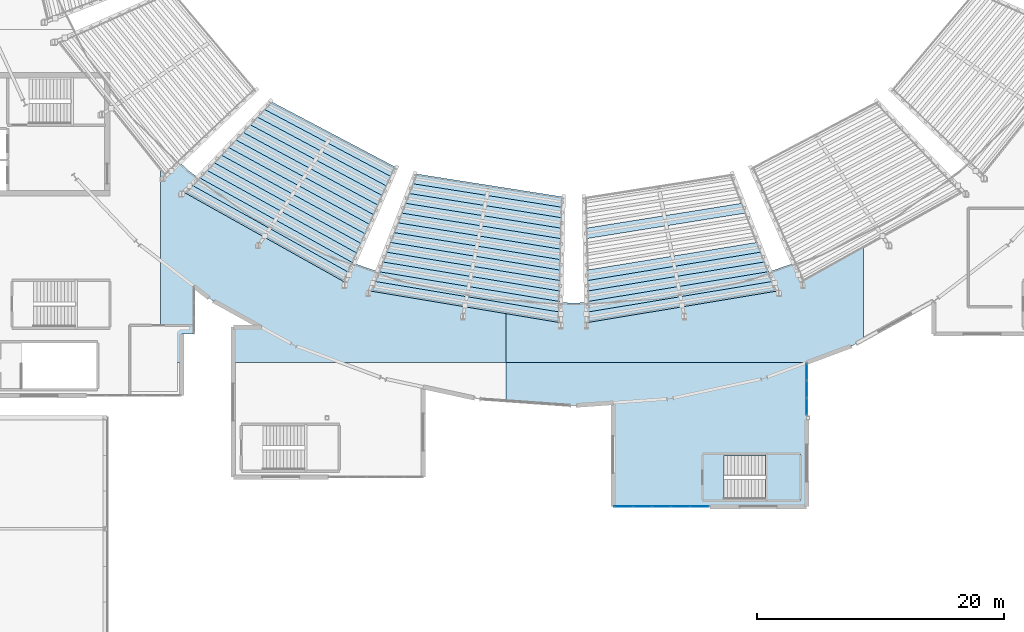
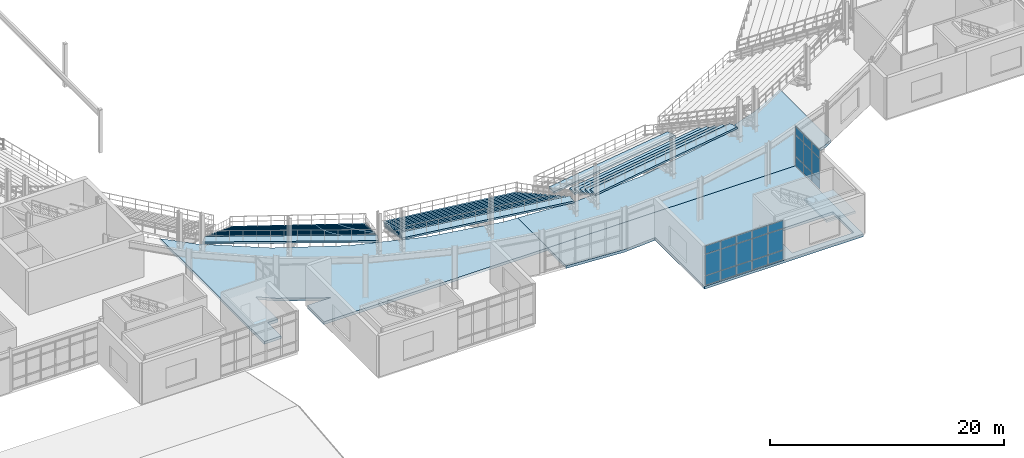
# One storey, part 45 of 81: 34 slabs, 24 plates, 3 elements without a shape of their own.
"""IFC4 building model written with IfcOpenShell, lengths in metres."""

from ifc_helpers import new_model, si_unit, direction, frame, origin, origin_2d, place, context, subcontext, project, spatial, polyline, rectangle, outline, extrude, material, layer, layer_set, type_object, element, aggregate, save


model = new_model("IFC4")

# Units and contexts
model_context = context("Model", 3, precision=1e-05, world=origin(), true_north=direction((0.0, 1.0)))
body_context = subcontext(model_context, "Body", "Model", "MODEL_VIEW")
ifc_project = project(units=[si_unit("LENGTHUNIT", "METRE"), si_unit("AREAUNIT", "SQUARE_METRE"), si_unit("VOLUMEUNIT", "CUBIC_METRE"), si_unit("PLANEANGLEUNIT", "RADIAN"), si_unit("MASSUNIT", "GRAM", prefix="KILO")], contexts=[model_context])

# Site, building, storey
site_placement = place(None, origin())
site = spatial("IfcSite", under=ifc_project, at=site_placement, CompositionType="ELEMENT")
building_placement = place(site_placement, origin())
building = spatial("IfcBuilding", under=site, at=building_placement, Name="Glasvene Arena", CompositionType="ELEMENT")
storey_placement = place(building_placement, frame((0.0, 0.0, 15.0)))
storey = spatial("IfcBuildingStorey", under=building, at=storey_placement, Name="L03", CompositionType="ELEMENT", Elevation=15.0)

# Curtain wall, plates
ifc_material_1 = material(Name="Low-emissivity laminated double glazing", Category="glass")
curtain_wall_type_1 = type_object("IfcCurtainWallType", Name="CW-FAC-L03-426x419", PredefinedType="USERDEFINED", material=ifc_material_1)
curtain_wall_1_placement = place(storey_placement, frame((110.89990234375, 31.4482421875, 0.0)))
curtain_wall_1 = element("IfcCurtainWall", 1, at=curtain_wall_1_placement, inside=storey, type_object=curtain_wall_type_1, Name="Unitised curtain wall CW-F-L03-180-1109-293-52", ObjectType="CURTAIN WALL", PredefinedType="USERDEFINED")
ifc_layer_1 = layer(ifc_material_1, 0.028076171875)
ifc_layer_set_1 = layer_set([ifc_layer_1], Name="Low-emissivity laminated double glazing")
plate_type = type_object("IfcPlateType", Name="CW-GLZ-28", PredefinedType="CURTAIN_PANEL", material=ifc_layer_set_1)
plate_1_placement = place(storey_placement, frame((110.89990234375, 30.726318359375, 0.10986328125), z_axis=(0.0, 0.0, 1.0), x_axis=(0.0, -1.0, 0.0)))
plate_1 = element("IfcPlate", 2, at=plate_1_placement, type_object=plate_type, Name="CW-041 panel 1.1", PredefinedType="CURTAIN_PANEL", context=body_context, shape_type="SweptSolid", body=[
    extrude(rectangle(XDim=1.34375, YDim=0.028076171875, at=origin_2d()), origin(), (0.0, 0.0, 1.0), 0.965087890625),
])
plate_2_placement = place(storey_placement, frame((110.89990234375, 30.726318359375, 1.125), z_axis=(0.0, 0.0, 1.0), x_axis=(0.0, -1.0, 0.0)))
plate_2 = element("IfcPlate", 3, at=plate_2_placement, type_object=plate_type, Name="CW-041 panel 1.2", PredefinedType="CURTAIN_PANEL", context=body_context, shape_type="SweptSolid", body=[
    extrude(rectangle(XDim=1.34375, YDim=0.028076171875, at=origin_2d()), origin(), (0.0, 0.0, 1.0), 2.199951171875),
])
plate_3_placement = place(storey_placement, frame((110.89990234375, 30.726318359375, 3.375), z_axis=(0.0, 0.0, 1.0), x_axis=(0.0, -1.0, 0.0)))
plate_3 = element("IfcPlate", 4, at=plate_3_placement, type_object=plate_type, Name="CW-041 panel 1.3", PredefinedType="CURTAIN_PANEL", context=body_context, shape_type="SweptSolid", body=[
    extrude(rectangle(XDim=1.34375, YDim=0.028076171875, at=origin_2d()), origin(), (0.0, 0.0, 1.0), 0.824951171875),
])
plate_4_placement = place(storey_placement, frame((110.89990234375, 29.320068359375, 0.10986328125), z_axis=(0.0, 0.0, 1.0), x_axis=(0.0, -1.0, 0.0)))
plate_4 = element("IfcPlate", 5, at=plate_4_placement, type_object=plate_type, Name="CW-041 panel 2.1", PredefinedType="CURTAIN_PANEL", context=body_context, shape_type="SweptSolid", body=[
    extrude(rectangle(XDim=1.36865234375, YDim=0.028076171875, at=origin_2d()), origin(), (0.0, 0.0, 1.0), 0.965087890625),
])
plate_5_placement = place(storey_placement, frame((110.89990234375, 29.320068359375, 1.125), z_axis=(0.0, 0.0, 1.0), x_axis=(0.0, -1.0, 0.0)))
plate_5 = element("IfcPlate", 6, at=plate_5_placement, type_object=plate_type, Name="CW-041 panel 2.2", PredefinedType="CURTAIN_PANEL", context=body_context, shape_type="SweptSolid", body=[
    extrude(rectangle(XDim=1.36865234375, YDim=0.028076171875, at=origin_2d()), origin(), (0.0, 0.0, 1.0), 2.199951171875),
])
plate_6_placement = place(storey_placement, frame((110.89990234375, 29.320068359375, 3.375), z_axis=(0.0, 0.0, 1.0), x_axis=(0.0, -1.0, 0.0)))
plate_6 = element("IfcPlate", 7, at=plate_6_placement, type_object=plate_type, Name="CW-041 panel 2.3", PredefinedType="CURTAIN_PANEL", context=body_context, shape_type="SweptSolid", body=[
    extrude(rectangle(XDim=1.36865234375, YDim=0.028076171875, at=origin_2d()), origin(), (0.0, 0.0, 1.0), 0.824951171875),
])
plate_7_placement = place(storey_placement, frame((110.89990234375, 27.913818359375, 0.10986328125), z_axis=(0.0, 0.0, 1.0), x_axis=(0.0, -1.0, 0.0)))
plate_7 = element("IfcPlate", 8, at=plate_7_placement, type_object=plate_type, Name="CW-041 panel 3.1", PredefinedType="CURTAIN_PANEL", context=body_context, shape_type="SweptSolid", body=[
    extrude(rectangle(XDim=1.34375, YDim=0.028076171875, at=origin_2d()), origin(), (0.0, 0.0, 1.0), 0.965087890625),
])
plate_8_placement = place(storey_placement, frame((110.89990234375, 27.913818359375, 1.125), z_axis=(0.0, 0.0, 1.0), x_axis=(0.0, -1.0, 0.0)))
plate_8 = element("IfcPlate", 9, at=plate_8_placement, type_object=plate_type, Name="CW-041 panel 3.2", PredefinedType="CURTAIN_PANEL", context=body_context, shape_type="SweptSolid", body=[
    extrude(rectangle(XDim=1.34375, YDim=0.028076171875, at=origin_2d()), origin(), (0.0, 0.0, 1.0), 2.199951171875),
])
plate_9_placement = place(storey_placement, frame((110.89990234375, 27.913818359375, 3.375), z_axis=(0.0, 0.0, 1.0), x_axis=(0.0, -1.0, 0.0)))
plate_9 = element("IfcPlate", 10, at=plate_9_placement, type_object=plate_type, Name="CW-041 panel 3.3", PredefinedType="CURTAIN_PANEL", context=body_context, shape_type="SweptSolid", body=[
    extrude(rectangle(XDim=1.34375, YDim=0.028076171875, at=origin_2d()), origin(), (0.0, 0.0, 1.0), 0.824951171875),
])
aggregate(curtain_wall_1, [plate_1, plate_2, plate_3, plate_4, plate_5, plate_6, plate_7, plate_8, plate_9])

curtain_wall_type_2 = type_object("IfcCurtainWallType", Name="CW-FAC-L03-777x419", PredefinedType="USERDEFINED", material=ifc_material_1)
curtain_wall_2_placement = place(storey_placement, frame((103.010009765625, 19.800048828125, 0.0)))
curtain_wall_2 = element("IfcCurtainWall", 11, at=curtain_wall_2_placement, inside=storey, type_object=curtain_wall_type_2, Name="Unitised curtain wall CW-F-L03-180-991-198-55", ObjectType="CURTAIN WALL", PredefinedType="USERDEFINED")
plate_10_placement = place(storey_placement, frame((102.220458984375, 19.800048828125, 0.10986328125), z_axis=(0.0, 0.0, 1.0), x_axis=(-1.0, 0.0, 0.0)))
plate_10 = element("IfcPlate", 12, at=plate_10_placement, type_object=plate_type, Name="CW-042 panel 1.1", PredefinedType="CURTAIN_PANEL", context=body_context, shape_type="SweptSolid", body=[
    extrude(rectangle(XDim=1.47900390625, YDim=0.028076171875, at=origin_2d()), origin(), (0.0, 0.0, 1.0), 0.965087890625),
])
plate_11_placement = place(storey_placement, frame((102.220458984375, 19.800048828125, 1.125), z_axis=(0.0, 0.0, 1.0), x_axis=(-1.0, 0.0, 0.0)))
plate_11 = element("IfcPlate", 13, at=plate_11_placement, type_object=plate_type, Name="CW-042 panel 1.2", PredefinedType="CURTAIN_PANEL", context=body_context, shape_type="SweptSolid", body=[
    extrude(rectangle(XDim=1.47900390625, YDim=0.028076171875, at=origin_2d()), origin(), (0.0, 0.0, 1.0), 2.199951171875),
])
plate_12_placement = place(storey_placement, frame((102.220458984375, 19.800048828125, 3.375), z_axis=(0.0, 0.0, 1.0), x_axis=(-1.0, 0.0, 0.0)))
plate_12 = element("IfcPlate", 14, at=plate_12_placement, type_object=plate_type, Name="CW-042 panel 1.3", PredefinedType="CURTAIN_PANEL", context=body_context, shape_type="SweptSolid", body=[
    extrude(rectangle(XDim=1.47900390625, YDim=0.028076171875, at=origin_2d()), origin(), (0.0, 0.0, 1.0), 0.824951171875),
])
plate_13_placement = place(storey_placement, frame((100.678955078125, 19.800048828125, 0.10986328125), z_axis=(0.0, 0.0, 1.0), x_axis=(-1.0, 0.0, 0.0)))
plate_13 = element("IfcPlate", 15, at=plate_13_placement, type_object=plate_type, Name="CW-042 panel 2.1", PredefinedType="CURTAIN_PANEL", context=body_context, shape_type="SweptSolid", body=[
    extrude(rectangle(XDim=1.50390625, YDim=0.028076171875, at=origin_2d()), origin(), (0.0, 0.0, 1.0), 0.965087890625),
])
plate_14_placement = place(storey_placement, frame((100.678955078125, 19.800048828125, 1.125), z_axis=(0.0, 0.0, 1.0), x_axis=(-1.0, 0.0, 0.0)))
plate_14 = element("IfcPlate", 16, at=plate_14_placement, type_object=plate_type, Name="CW-042 panel 2.2", PredefinedType="CURTAIN_PANEL", context=body_context, shape_type="SweptSolid", body=[
    extrude(rectangle(XDim=1.50390625, YDim=0.028076171875, at=origin_2d()), origin(), (0.0, 0.0, 1.0), 2.199951171875),
])
plate_15_placement = place(storey_placement, frame((100.678955078125, 19.800048828125, 3.375), z_axis=(0.0, 0.0, 1.0), x_axis=(-1.0, 0.0, 0.0)))
plate_15 = element("IfcPlate", 17, at=plate_15_placement, type_object=plate_type, Name="CW-042 panel 2.3", PredefinedType="CURTAIN_PANEL", context=body_context, shape_type="SweptSolid", body=[
    extrude(rectangle(XDim=1.50390625, YDim=0.028076171875, at=origin_2d()), origin(), (0.0, 0.0, 1.0), 0.824951171875),
])
plate_16_placement = place(storey_placement, frame((99.125, 19.800048828125, 0.10986328125), z_axis=(0.0, 0.0, 1.0), x_axis=(-1.0, 0.0, 0.0)))
plate_16 = element("IfcPlate", 18, at=plate_16_placement, type_object=plate_type, Name="CW-042 panel 3.1", PredefinedType="CURTAIN_PANEL", context=body_context, shape_type="SweptSolid", body=[
    extrude(rectangle(XDim=1.50390625, YDim=0.028076171875, at=origin_2d()), origin(), (0.0, 0.0, 1.0), 0.965087890625),
])
plate_17_placement = place(storey_placement, frame((99.125, 19.800048828125, 1.125), z_axis=(0.0, 0.0, 1.0), x_axis=(-1.0, 0.0, 0.0)))
plate_17 = element("IfcPlate", 19, at=plate_17_placement, type_object=plate_type, Name="CW-042 panel 3.2", PredefinedType="CURTAIN_PANEL", context=body_context, shape_type="SweptSolid", body=[
    extrude(rectangle(XDim=1.50390625, YDim=0.028076171875, at=origin_2d()), origin(), (0.0, 0.0, 1.0), 2.199951171875),
])
plate_18_placement = place(storey_placement, frame((99.125, 19.800048828125, 3.375), z_axis=(0.0, 0.0, 1.0), x_axis=(-1.0, 0.0, 0.0)))
plate_18 = element("IfcPlate", 20, at=plate_18_placement, type_object=plate_type, Name="CW-042 panel 3.3", PredefinedType="CURTAIN_PANEL", context=body_context, shape_type="SweptSolid", body=[
    extrude(rectangle(XDim=1.50390625, YDim=0.028076171875, at=origin_2d()), origin(), (0.0, 0.0, 1.0), 0.824951171875),
])
plate_19_placement = place(storey_placement, frame((97.571044921875, 19.800048828125, 0.10986328125), z_axis=(0.0, 0.0, 1.0), x_axis=(-1.0, 0.0, 0.0)))
plate_19 = element("IfcPlate", 21, at=plate_19_placement, type_object=plate_type, Name="CW-042 panel 4.1", PredefinedType="CURTAIN_PANEL", context=body_context, shape_type="SweptSolid", body=[
    extrude(rectangle(XDim=1.50390625, YDim=0.028076171875, at=origin_2d()), origin(), (0.0, 0.0, 1.0), 0.965087890625),
])
plate_20_placement = place(storey_placement, frame((97.571044921875, 19.800048828125, 1.125), z_axis=(0.0, 0.0, 1.0), x_axis=(-1.0, 0.0, 0.0)))
plate_20 = element("IfcPlate", 22, at=plate_20_placement, type_object=plate_type, Name="CW-042 panel 4.2", PredefinedType="CURTAIN_PANEL", context=body_context, shape_type="SweptSolid", body=[
    extrude(rectangle(XDim=1.50390625, YDim=0.028076171875, at=origin_2d()), origin(), (0.0, 0.0, 1.0), 2.199951171875),
])
plate_21_placement = place(storey_placement, frame((97.571044921875, 19.800048828125, 3.375), z_axis=(0.0, 0.0, 1.0), x_axis=(-1.0, 0.0, 0.0)))
plate_21 = element("IfcPlate", 23, at=plate_21_placement, type_object=plate_type, Name="CW-042 panel 4.3", PredefinedType="CURTAIN_PANEL", context=body_context, shape_type="SweptSolid", body=[
    extrude(rectangle(XDim=1.50390625, YDim=0.028076171875, at=origin_2d()), origin(), (0.0, 0.0, 1.0), 0.824951171875),
])
plate_22_placement = place(storey_placement, frame((96.029541015625, 19.800048828125, 0.10986328125), z_axis=(0.0, 0.0, 1.0), x_axis=(-1.0, 0.0, 0.0)))
plate_22 = element("IfcPlate", 24, at=plate_22_placement, type_object=plate_type, Name="CW-042 panel 5.1", PredefinedType="CURTAIN_PANEL", context=body_context, shape_type="SweptSolid", body=[
    extrude(rectangle(XDim=1.47900390625, YDim=0.028076171875, at=origin_2d()), origin(), (0.0, 0.0, 1.0), 0.965087890625),
])
plate_23_placement = place(storey_placement, frame((96.029541015625, 19.800048828125, 1.125), z_axis=(0.0, 0.0, 1.0), x_axis=(-1.0, 0.0, 0.0)))
plate_23 = element("IfcPlate", 25, at=plate_23_placement, type_object=plate_type, Name="CW-042 panel 5.2", PredefinedType="CURTAIN_PANEL", context=body_context, shape_type="SweptSolid", body=[
    extrude(rectangle(XDim=1.47900390625, YDim=0.028076171875, at=origin_2d()), origin(), (0.0, 0.0, 1.0), 2.199951171875),
])
plate_24_placement = place(storey_placement, frame((96.029541015625, 19.800048828125, 3.375), z_axis=(0.0, 0.0, 1.0), x_axis=(-1.0, 0.0, 0.0)))
plate_24 = element("IfcPlate", 26, at=plate_24_placement, type_object=plate_type, Name="CW-042 panel 5.3", PredefinedType="CURTAIN_PANEL", context=body_context, shape_type="SweptSolid", body=[
    extrude(rectangle(XDim=1.47900390625, YDim=0.028076171875, at=origin_2d()), origin(), (0.0, 0.0, 1.0), 0.824951171875),
])
aggregate(curtain_wall_2, [plate_10, plate_11, plate_12, plate_13, plate_14, plate_15, plate_16, plate_17, plate_18, plate_19, plate_20, plate_21, plate_22, plate_23, plate_24])

# Slabs
ifc_material_2 = material(Name="Concrete C40/50", Category="concrete")
ifc_layer_2 = layer(ifc_material_2, 0.280029296875)
ifc_layer_set_2 = layer_set([ifc_layer_2], Name="Concrete C40/50")
slab_type_1 = type_object("IfcSlabType", Name="SL-CONC-280", PredefinedType="FLOOR", material=ifc_layer_set_2)
slab_1_placement = place(storey_placement, frame((98.516357421875, 27.338134765625, -0.280029296875)))
element("IfcSlab", 27, at=slab_1_placement, inside=storey, type_object=slab_type_1, Name="Structural floor slab L03 sector 1-4 (85)", PredefinedType="FLOOR", context=body_context, shape_type="SweptSolid", body=[
    extrude(outline(polyline([(12.383544921875, -7.5380859375), (-3.31640625, -7.5380859375), (-3.31640625, 0.888671875), (-6.516357421875, 0.661865234375), (-12.016357421875, 1.051513671875), (-12.016357421875, 4.161865234375), (12.4150390625, 4.161865234375), (12.383544921875, 4.150146484375), (12.383544921875, -7.5380859375)]), holes=[polyline([(11.78369140625, -3.38818359375), (5.685546875, -3.38818359375), (5.685546875, -6.938232421875), (11.78369140625, -6.938232421875), (11.78369140625, -3.38818359375)])]), origin(), (0.0, 0.0, 1.0), 0.280029296875),
])
slab_2_placement = place(storey_placement, frame((67.824462890625, 36.939453125, -0.280029296875)))
element("IfcSlab", 28, at=slab_2_placement, inside=storey, type_object=slab_type_1, Name="Structural floor slab L03 sector 2-3 (88)", PredefinedType="FLOOR", context=body_context, shape_type="SweptSolid", body=[
    extrude(outline(polyline([(-3.424560546875, -2.58935546875), (-1.14453125, -2.58935546875), (-5.2138671875, -0.34521484375), (-6.62451171875, 0.7392578125), (-6.62451171875, -3.139404296875), (-7.62451171875, -3.139404296875), (-7.62451171875, -5.439453125), (-9.324462890625, -5.439453125), (-9.324462890625, 12.293212890625), (-7.07861328125, 10.10986328125), (-1.804443359375, 6.36962890625), (4.109130859375, 3.360595703125), (10.516845703125, 1.15673828125), (17.26123046875, -0.187744140625), (18.675537109375, -0.280029296875), (18.675537109375, -5.439453125), (-3.424560546875, -5.439453125), (-3.424560546875, -2.58935546875)])), origin(), (0.0, 0.0, 1.0), 0.280029296875),
])
slab_3_placement = place(storey_placement, frame((103.8271484375, 35.940673828125, -0.280029296875)))
element("IfcSlab", 29, at=slab_3_placement, inside=storey, type_object=slab_type_1, Name="Structural floor slab L03 sector 2-4 (89)", PredefinedType="FLOOR", context=body_context, shape_type="SweptSolid", body=[
    extrude(outline(polyline([(10.872314453125, -3.035888671875), (7.104248046875, -4.440673828125), (-17.3271484375, -4.440673828125), (-17.3271484375, 0.71875), (-11.8271484375, 0.359375), (-4.912841796875, 0.81103515625), (1.83154296875, 2.155517578125), (8.2392578125, 4.359375), (11.6728515625, 6.1064453125), (11.6728515625, -2.594482421875), (10.872314453125, -3.035888671875)])), origin(), (0.0, 0.0, 1.0), 0.280029296875),
])

# Stair, slab
stair_type = type_object("IfcStairType", Name="ST-HT-450-165", PredefinedType="HALF_TURN_STAIR", material=ifc_material_2)
stair_placement = place(storey_placement, origin())
stair = element("IfcStair", 30, at=stair_placement, inside=storey, type_object=stair_type, Name="Protected escape stair ST-09 (L03 to L04)", PredefinedType="HALF_TURN_STAIR")
ifc_layer_3 = layer(ifc_material_2, 0.219970703125)
ifc_layer_set_3 = layer_set([ifc_layer_3], Name="Concrete C40/50")
slab_type_2 = type_object("IfcSlabType", Name="SL-LAND-220", PredefinedType="LANDING", material=ifc_layer_set_3)
slab_4_placement = place(storey_placement, frame((108.97998046875, 22.175048828125, 2.030029296875)))
slab_4 = element("IfcSlab", 31, at=slab_4_placement, type_object=slab_type_2, Name="Protected escape stair ST-09 (L03 to L04) landing 1", PredefinedType="LANDING", context=body_context, shape_type="SweptSolid", body=[
    extrude(outline(polyline([(-1.419921875, -1.875), (1.419921875, -1.875), (1.419921875, 1.875), (-1.419921875, 1.875), (-1.419921875, -1.875)])), origin(), (0.0, 0.0, 1.0), 0.219970703125),
])
aggregate(stair, [slab_4])

# Slabs
ifc_material_3 = material(Name="Precast concrete C50/60", Category="concrete")
ifc_layer_4 = layer(ifc_material_3, 0.199951171875)
ifc_layer_set_4 = layer_set([ifc_layer_4], Name="Precast concrete C50/60")
slab_type_3 = type_object("IfcSlabType", Name="SL-TIER-UP", PredefinedType="USERDEFINED", material=ifc_layer_set_4)
slab_5_placement = place(storey_placement, frame((72.28662109375, 49.63916015625, -4.10009765625)))
element("IfcSlab", 32, at=slab_5_placement, inside=storey, type_object=slab_type_3, Name="Stand upper tier sector 11 row 01", ObjectType="SEATING TIER", PredefinedType="USERDEFINED", context=body_context, shape_type="SweptSolid", body=[
    extrude(outline(polyline([(-4.882080078125, 3.04541015625), (5.34716796875, -2.349609375), (5.004150390625, -3.127197265625), (-5.46923828125, 2.430908203125), (-4.882080078125, 3.04541015625)])), origin(), (0.0, 0.0, 1.0), 0.2001953125),
])
slab_6_placement = place(storey_placement, frame((71.821533203125, 48.94287109375, -3.6201171875)))
element("IfcSlab", 33, at=slab_6_placement, inside=storey, type_object=slab_type_3, Name="Stand upper tier sector 11 row 02", ObjectType="SEATING TIER", PredefinedType="USERDEFINED", context=body_context, shape_type="SweptSolid", body=[
    extrude(outline(polyline([(-5.004150390625, 3.127197265625), (5.46923828125, -2.430908203125), (5.126220703125, -3.208740234375), (-5.591552734375, 2.5126953125), (-5.004150390625, 3.127197265625)])), origin(), (0.0, 0.0, 1.0), 0.2001953125),
])
slab_7_placement = place(storey_placement, frame((71.3564453125, 48.246826171875, -3.139892578125)))
element("IfcSlab", 34, at=slab_7_placement, inside=storey, type_object=slab_type_3, Name="Stand upper tier sector 11 row 03", ObjectType="SEATING TIER", PredefinedType="USERDEFINED", context=body_context, shape_type="SweptSolid", body=[
    extrude(outline(polyline([(-5.12646484375, 3.208740234375), (5.59130859375, -2.5126953125), (5.248291015625, -3.290283203125), (-5.713623046875, 2.59423828125), (-5.12646484375, 3.208740234375)])), origin(), (0.0, 0.0, 1.0), 0.199951171875),
])
slab_8_placement = place(storey_placement, frame((70.89111328125, 47.55078125, -2.659912109375)))
element("IfcSlab", 35, at=slab_8_placement, inside=storey, type_object=slab_type_3, Name="Stand upper tier sector 11 row 04", ObjectType="SEATING TIER", PredefinedType="USERDEFINED", context=body_context, shape_type="SweptSolid", body=[
    extrude(outline(polyline([(-5.248291015625, 3.290283203125), (5.713623046875, -2.59423828125), (5.37060546875, -3.3720703125), (-5.83544921875, 2.67578125), (-5.248291015625, 3.290283203125)])), origin(), (0.0, 0.0, 1.0), 0.199951171875),
])
slab_9_placement = place(storey_placement, frame((70.426025390625, 46.8544921875, -2.179931640625)))
element("IfcSlab", 36, at=slab_9_placement, inside=storey, type_object=slab_type_3, Name="Stand upper tier sector 11 row 05", ObjectType="SEATING TIER", PredefinedType="USERDEFINED", context=body_context, shape_type="SweptSolid", body=[
    extrude(outline(polyline([(-5.370361328125, 3.3720703125), (5.835693359375, -2.67578125), (5.49267578125, -3.453369140625), (-5.957763671875, 2.757568359375), (-5.370361328125, 3.3720703125)])), origin(), (0.0, 0.0, 1.0), 0.199951171875),
])
slab_10_placement = place(storey_placement, frame((69.9609375, 46.158447265625, -1.699951171875)))
element("IfcSlab", 37, at=slab_10_placement, inside=storey, type_object=slab_type_3, Name="Stand upper tier sector 11 row 06", ObjectType="SEATING TIER", PredefinedType="USERDEFINED", context=body_context, shape_type="SweptSolid", body=[
    extrude(outline(polyline([(-5.49267578125, 3.45361328125), (5.957763671875, -2.75732421875), (5.61474609375, -3.53515625), (-6.079833984375, 2.839111328125), (-5.49267578125, 3.45361328125)])), origin(), (0.0, 0.0, 1.0), 0.199951171875),
])
slab_11_placement = place(storey_placement, frame((69.495849609375, 45.46240234375, -1.219970703125)))
element("IfcSlab", 38, at=slab_11_placement, inside=storey, type_object=slab_type_3, Name="Stand upper tier sector 11 row 07", ObjectType="SEATING TIER", PredefinedType="USERDEFINED", context=body_context, shape_type="SweptSolid", body=[
    extrude(outline(polyline([(-5.61474609375, 3.53515625), (6.079833984375, -2.839111328125), (5.73681640625, -3.61669921875), (-6.2021484375, 2.920654296875), (-5.61474609375, 3.53515625)])), origin(), (0.0, 0.0, 1.0), 0.199951171875),
])
slab_12_placement = place(storey_placement, frame((69.03076171875, 44.76611328125, -0.739990234375)))
element("IfcSlab", 39, at=slab_12_placement, inside=storey, type_object=slab_type_3, Name="Stand upper tier sector 11 row 08", ObjectType="SEATING TIER", PredefinedType="USERDEFINED", context=body_context, shape_type="SweptSolid", body=[
    extrude(outline(polyline([(-5.737060546875, 3.616943359375), (6.201904296875, -2.92041015625), (5.85888671875, -3.6982421875), (-6.32421875, 3.002197265625), (-5.737060546875, 3.616943359375)])), origin(), (0.0, 0.0, 1.0), 0.199951171875),
])
slab_13_placement = place(storey_placement, frame((68.565673828125, 44.070068359375, -0.260009765625)))
element("IfcSlab", 40, at=slab_13_placement, inside=storey, type_object=slab_type_3, Name="Stand upper tier sector 11 row 09", ObjectType="SEATING TIER", PredefinedType="USERDEFINED", context=body_context, shape_type="SweptSolid", body=[
    extrude(outline(polyline([(-5.859130859375, 3.6982421875), (6.323974609375, -3.002197265625), (5.98095703125, -3.77978515625), (-6.4462890625, 3.083740234375), (-5.859130859375, 3.6982421875)])), origin(), (0.0, 0.0, 1.0), 0.199951171875),
])
slab_14_placement = place(storey_placement, frame((68.100341796875, 43.3740234375, 0.219970703125)))
element("IfcSlab", 41, at=slab_14_placement, inside=storey, type_object=slab_type_3, Name="Stand upper tier sector 11 row 10", ObjectType="SEATING TIER", PredefinedType="USERDEFINED", context=body_context, shape_type="SweptSolid", body=[
    extrude(outline(polyline([(-5.98095703125, 3.77978515625), (6.4462890625, -3.083740234375), (6.103271484375, -3.861572265625), (-6.568359375, 3.165283203125), (-5.98095703125, 3.77978515625)])), origin(), (0.0, 0.0, 1.0), 0.199951171875),
])
slab_15_placement = place(storey_placement, frame((67.63525390625, 42.677978515625, 0.699951171875)))
element("IfcSlab", 42, at=slab_15_placement, inside=storey, type_object=slab_type_3, Name="Stand upper tier sector 11 row 11", ObjectType="SEATING TIER", PredefinedType="USERDEFINED", context=body_context, shape_type="SweptSolid", body=[
    extrude(outline(polyline([(-6.103271484375, 3.861328125), (6.568359375, -3.16552734375), (6.225341796875, -3.943115234375), (-6.6904296875, 3.246826171875), (-6.103271484375, 3.861328125)])), origin(), (0.0, 0.0, 1.0), 0.199951171875),
])
slab_16_placement = place(storey_placement, frame((67.170166015625, 41.981689453125, 1.179931640625)))
element("IfcSlab", 43, at=slab_16_placement, inside=storey, type_object=slab_type_3, Name="Stand upper tier sector 11 row 12", ObjectType="SEATING TIER", PredefinedType="USERDEFINED", context=body_context, shape_type="SweptSolid", body=[
    extrude(outline(polyline([(-6.225341796875, 3.943115234375), (6.6904296875, -3.246826171875), (6.347412109375, -4.024658203125), (-6.8125, 3.32861328125), (-6.225341796875, 3.943115234375)])), origin(), (0.0, 0.0, 1.0), 0.199951171875),
])
slab_17_placement = place(storey_placement, frame((85.07763671875, 45.44384765625, -4.10009765625)))
element("IfcSlab", 44, at=slab_17_placement, inside=storey, type_object=slab_type_3, Name="Stand upper tier sector 12 row 01", ObjectType="SEATING TIER", PredefinedType="USERDEFINED", context=body_context, shape_type="SweptSolid", body=[
    extrude(outline(polyline([(-5.951416015625, 1.35791015625), (6.11474609375, -0.53662109375), (6.095458984375, -1.38623046875), (-6.2587890625, 0.5654296875), (-5.951416015625, 1.35791015625)])), origin(), (0.0, 0.0, 1.0), 0.2001953125),
])
slab_18_placement = place(storey_placement, frame((84.914306640625, 44.622802734375, -3.6201171875)))
element("IfcSlab", 45, at=slab_18_placement, inside=storey, type_object=slab_type_3, Name="Stand upper tier sector 12 row 02", ObjectType="SEATING TIER", PredefinedType="USERDEFINED", context=body_context, shape_type="SweptSolid", body=[
    extrude(outline(polyline([(-6.095458984375, 1.386474609375), (6.2587890625, -0.565185546875), (6.239501953125, -1.4150390625), (-6.40283203125, 0.593994140625), (-6.095458984375, 1.386474609375)])), origin(), (0.0, 0.0, 1.0), 0.2001953125),
])
slab_19_placement = place(storey_placement, frame((84.7509765625, 43.8017578125, -3.139892578125)))
element("IfcSlab", 46, at=slab_19_placement, inside=storey, type_object=slab_type_3, Name="Stand upper tier sector 12 row 03", ObjectType="SEATING TIER", PredefinedType="USERDEFINED", context=body_context, shape_type="SweptSolid", body=[
    extrude(outline(polyline([(-6.239501953125, 1.4150390625), (6.40283203125, -0.593994140625), (6.383544921875, -1.44384765625), (-6.546875, 0.62255859375), (-6.239501953125, 1.4150390625)])), origin(), (0.0, 0.0, 1.0), 0.199951171875),
])
slab_20_placement = place(storey_placement, frame((84.587646484375, 42.98046875, -2.659912109375)))
element("IfcSlab", 47, at=slab_20_placement, inside=storey, type_object=slab_type_3, Name="Stand upper tier sector 12 row 04", ObjectType="SEATING TIER", PredefinedType="USERDEFINED", context=body_context, shape_type="SweptSolid", body=[
    extrude(outline(polyline([(-6.383544921875, 1.44384765625), (6.546875, -0.62255859375), (6.527587890625, -1.472412109375), (-6.691162109375, 0.6513671875), (-6.383544921875, 1.44384765625)])), origin(), (0.0, 0.0, 1.0), 0.199951171875),
])
slab_21_placement = place(storey_placement, frame((84.42431640625, 42.159423828125, -2.179931640625)))
element("IfcSlab", 48, at=slab_21_placement, inside=storey, type_object=slab_type_3, Name="Stand upper tier sector 12 row 05", ObjectType="SEATING TIER", PredefinedType="USERDEFINED", context=body_context, shape_type="SweptSolid", body=[
    extrude(outline(polyline([(-6.52783203125, 1.472412109375), (6.69091796875, -0.6513671875), (6.671630859375, -1.501220703125), (-6.8349609375, 0.679931640625), (-6.52783203125, 1.472412109375)])), origin(), (0.0, 0.0, 1.0), 0.199951171875),
])
slab_22_placement = place(storey_placement, frame((84.260986328125, 41.338134765625, -1.699951171875)))
element("IfcSlab", 49, at=slab_22_placement, inside=storey, type_object=slab_type_3, Name="Stand upper tier sector 12 row 06", ObjectType="SEATING TIER", PredefinedType="USERDEFINED", context=body_context, shape_type="SweptSolid", body=[
    extrude(outline(polyline([(-6.671630859375, 1.501220703125), (6.8349609375, -0.679931640625), (6.815673828125, -1.529541015625), (-6.97900390625, 0.708740234375), (-6.671630859375, 1.501220703125)])), origin(), (0.0, 0.0, 1.0), 0.199951171875),
])
slab_23_placement = place(storey_placement, frame((84.09765625, 40.51708984375, -1.219970703125)))
element("IfcSlab", 50, at=slab_23_placement, inside=storey, type_object=slab_type_3, Name="Stand upper tier sector 12 row 07", ObjectType="SEATING TIER", PredefinedType="USERDEFINED", context=body_context, shape_type="SweptSolid", body=[
    extrude(outline(polyline([(-6.815673828125, 1.52978515625), (6.97900390625, -0.70849609375), (6.959716796875, -1.558349609375), (-7.123046875, 0.7373046875), (-6.815673828125, 1.52978515625)])), origin(), (0.0, 0.0, 1.0), 0.199951171875),
])
slab_24_placement = place(storey_placement, frame((83.934326171875, 39.696044921875, -0.739990234375)))
element("IfcSlab", 51, at=slab_24_placement, inside=storey, type_object=slab_type_3, Name="Stand upper tier sector 12 row 08", ObjectType="SEATING TIER", PredefinedType="USERDEFINED", context=body_context, shape_type="SweptSolid", body=[
    extrude(outline(polyline([(-6.959716796875, 1.558349609375), (7.123046875, -0.7373046875), (7.103759765625, -1.587158203125), (-7.267333984375, 0.765869140625), (-6.959716796875, 1.558349609375)])), origin(), (0.0, 0.0, 1.0), 0.199951171875),
])
slab_25_placement = place(storey_placement, frame((83.77099609375, 38.874755859375, -0.260009765625)))
element("IfcSlab", 52, at=slab_25_placement, inside=storey, type_object=slab_type_3, Name="Stand upper tier sector 12 row 09", ObjectType="SEATING TIER", PredefinedType="USERDEFINED", context=body_context, shape_type="SweptSolid", body=[
    extrude(outline(polyline([(-7.10400390625, 1.587158203125), (7.26708984375, -0.765869140625), (7.247802734375, -1.615478515625), (-7.411376953125, 0.794677734375), (-7.10400390625, 1.587158203125)])), origin(), (0.0, 0.0, 1.0), 0.199951171875),
])
slab_26_placement = place(storey_placement, frame((83.607666015625, 38.0537109375, 0.219970703125)))
element("IfcSlab", 53, at=slab_26_placement, inside=storey, type_object=slab_type_3, Name="Stand upper tier sector 12 row 10", ObjectType="SEATING TIER", PredefinedType="USERDEFINED", context=body_context, shape_type="SweptSolid", body=[
    extrude(outline(polyline([(-7.248046875, 1.61572265625), (7.4111328125, -0.79443359375), (7.391845703125, -1.644287109375), (-7.55517578125, 0.8232421875), (-7.248046875, 1.61572265625)])), origin(), (0.0, 0.0, 1.0), 0.199951171875),
])
slab_27_placement = place(storey_placement, frame((83.4443359375, 37.232666015625, 0.699951171875)))
element("IfcSlab", 54, at=slab_27_placement, inside=storey, type_object=slab_type_3, Name="Stand upper tier sector 12 row 11", ObjectType="SEATING TIER", PredefinedType="USERDEFINED", context=body_context, shape_type="SweptSolid", body=[
    extrude(outline(polyline([(-7.391845703125, 1.644287109375), (7.55517578125, -0.8232421875), (7.535888671875, -1.673095703125), (-7.69921875, 0.851806640625), (-7.391845703125, 1.644287109375)])), origin(), (0.0, 0.0, 1.0), 0.199951171875),
])
slab_28_placement = place(storey_placement, frame((83.281005859375, 36.41162109375, 1.179931640625)))
element("IfcSlab", 55, at=slab_28_placement, inside=storey, type_object=slab_type_3, Name="Stand upper tier sector 12 row 12", ObjectType="SEATING TIER", PredefinedType="USERDEFINED", context=body_context, shape_type="SweptSolid", body=[
    extrude(outline(polyline([(-7.535888671875, 1.6728515625), (7.69921875, -0.85205078125), (7.679931640625, -1.70166015625), (-7.843505859375, 0.88037109375), (-7.535888671875, 1.6728515625)])), origin(), (0.0, 0.0, 1.0), 0.199951171875),
])
slab_29_placement = place(storey_placement, frame((99.412353515625, 42.98046875, -2.659912109375)))
element("IfcSlab", 56, at=slab_29_placement, inside=storey, type_object=slab_type_3, Name="Stand upper tier sector 13 row 04", ObjectType="SEATING TIER", PredefinedType="USERDEFINED", context=body_context, shape_type="SweptSolid", body=[
    extrude(outline(polyline([(-6.546875, -0.62255859375), (6.383544921875, 1.44384765625), (6.691162109375, 0.6513671875), (-6.527587890625, -1.472412109375), (-6.546875, -0.62255859375)])), origin(), (0.0, 0.0, 1.0), 0.199951171875),
])
slab_30_placement = place(storey_placement, frame((100.065673828125, 39.696044921875, -0.739990234375)))
element("IfcSlab", 57, at=slab_30_placement, inside=storey, type_object=slab_type_3, Name="Stand upper tier sector 13 row 08", ObjectType="SEATING TIER", PredefinedType="USERDEFINED", context=body_context, shape_type="SweptSolid", body=[
    extrude(outline(polyline([(-7.123046875, -0.7373046875), (6.959716796875, 1.558349609375), (7.267333984375, 0.765869140625), (-7.103759765625, -1.587158203125), (-7.123046875, -0.7373046875)])), origin(), (0.0, 0.0, 1.0), 0.199951171875),
])
slab_31_placement = place(storey_placement, frame((100.22900390625, 38.874755859375, -0.260009765625)))
element("IfcSlab", 58, at=slab_31_placement, inside=storey, type_object=slab_type_3, Name="Stand upper tier sector 13 row 09", ObjectType="SEATING TIER", PredefinedType="USERDEFINED", context=body_context, shape_type="SweptSolid", body=[
    extrude(outline(polyline([(-7.26708984375, -0.765869140625), (7.10400390625, 1.587158203125), (7.411376953125, 0.794677734375), (-7.247802734375, -1.615478515625), (-7.26708984375, -0.765869140625)])), origin(), (0.0, 0.0, 1.0), 0.199951171875),
])
slab_32_placement = place(storey_placement, frame((100.392333984375, 38.0537109375, 0.219970703125)))
element("IfcSlab", 59, at=slab_32_placement, inside=storey, type_object=slab_type_3, Name="Stand upper tier sector 13 row 10", ObjectType="SEATING TIER", PredefinedType="USERDEFINED", context=body_context, shape_type="SweptSolid", body=[
    extrude(outline(polyline([(-7.4111328125, -0.79443359375), (7.248046875, 1.61572265625), (7.55517578125, 0.8232421875), (-7.391845703125, -1.644287109375), (-7.4111328125, -0.79443359375)])), origin(), (0.0, 0.0, 1.0), 0.199951171875),
])
slab_33_placement = place(storey_placement, frame((100.5556640625, 37.232666015625, 0.699951171875)))
element("IfcSlab", 60, at=slab_33_placement, inside=storey, type_object=slab_type_3, Name="Stand upper tier sector 13 row 11", ObjectType="SEATING TIER", PredefinedType="USERDEFINED", context=body_context, shape_type="SweptSolid", body=[
    extrude(outline(polyline([(-7.55517578125, -0.8232421875), (7.391845703125, 1.644287109375), (7.69921875, 0.851806640625), (-7.535888671875, -1.673095703125), (-7.55517578125, -0.8232421875)])), origin(), (0.0, 0.0, 1.0), 0.199951171875),
])
slab_34_placement = place(storey_placement, frame((100.718994140625, 36.41162109375, 1.179931640625)))
element("IfcSlab", 61, at=slab_34_placement, inside=storey, type_object=slab_type_3, Name="Stand upper tier sector 13 row 12", ObjectType="SEATING TIER", PredefinedType="USERDEFINED", context=body_context, shape_type="SweptSolid", body=[
    extrude(outline(polyline([(-7.69921875, -0.85205078125), (7.535888671875, 1.6728515625), (7.843505859375, 0.88037109375), (-7.679931640625, -1.70166015625), (-7.69921875, -0.85205078125)])), origin(), (0.0, 0.0, 1.0), 0.199951171875),
])

save(model, "model.ifc")
